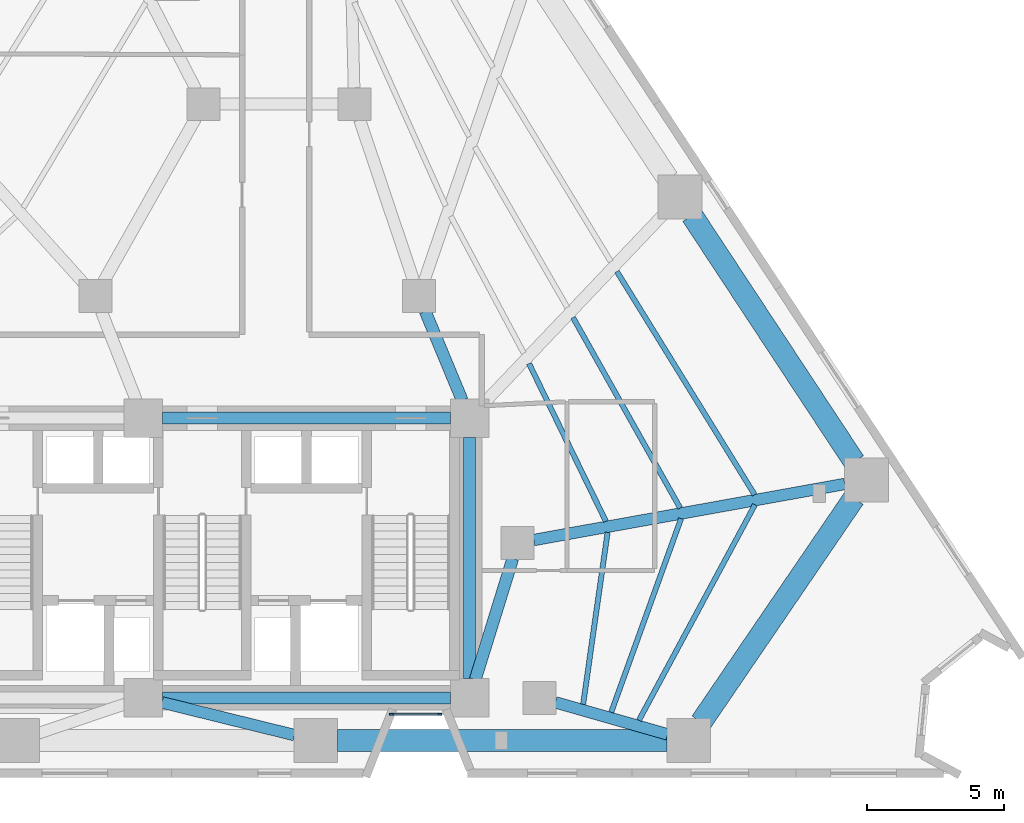
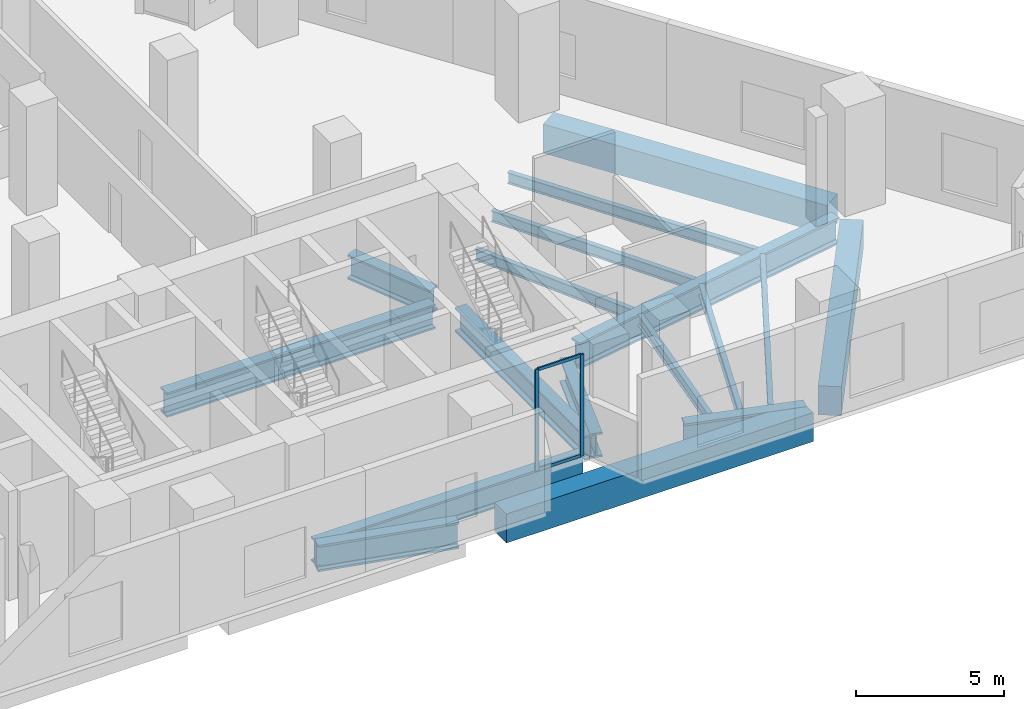
# One storey, part 3 of 11: 17 beams, 4 members, 1 element without a shape of its own.
"""IFC4 building model written with IfcOpenShell, lengths in metres."""

from ifc_helpers import new_model, si_unit, direction, frame, origin, origin_2d, place, context, subcontext, project, spatial, rectangle, i_section, extrude, material, layer, layer_set, material_profile, profile_set, type_object, element, aggregate, save


model = new_model("IFC4")

# Units and contexts
model_context = context("Model", 3, precision=1e-05, world=origin(), true_north=direction((0.0, 1.0)))
body_context = subcontext(model_context, "Body", "Model", "MODEL_VIEW")
ifc_project = project(units=[si_unit("LENGTHUNIT", "METRE"), si_unit("AREAUNIT", "SQUARE_METRE"), si_unit("VOLUMEUNIT", "CUBIC_METRE"), si_unit("PLANEANGLEUNIT", "RADIAN"), si_unit("MASSUNIT", "GRAM", prefix="KILO")], contexts=[model_context])

# Site, building, storey
site_placement = place(None, origin())
site = spatial("IfcSite", under=ifc_project, at=site_placement, CompositionType="ELEMENT")
building_placement = place(site_placement, origin())
building = spatial("IfcBuilding", under=site, at=building_placement, Name="Almagre Mirador Tower", CompositionType="ELEMENT")
storey_placement = place(building_placement, frame((0.0, 0.0, 21.89990234375)))
storey = spatial("IfcBuildingStorey", under=building, at=storey_placement, Name="L04", CompositionType="ELEMENT", Elevation=21.89990234375)

# Beams
ifc_material_1 = material(Name="Steel ASTM A992 Grade 50", Category="steel")
ifc_material_profile_1 = material_profile(ifc_material_1, i_section(OverallWidth=0.19091796875, OverallDepth=0.4599609375, WebThickness=0.010009765625, FlangeThickness=0.01611328125, FilletRadius=0.01611328125, at=origin_2d()), Name="W18X55")
ifc_profile_set_1 = profile_set([ifc_material_profile_1], Name="Steel ASTM A992 Grade 50")
beam_type_1 = type_object("IfcBeamType", Name="BM-JST-W18X55", PredefinedType="JOIST", material=ifc_profile_set_1)
beam_1_placement = place(storey_placement, frame((53.224853515625, 3.732421875, -0.52978515625), z_axis=(0.473970950785, 0.880540480508, 0.0), x_axis=(-0.880540480508, 0.473970950785, 0.0)))
element("IfcBeam", 1, at=beam_1_placement, inside=storey, type_object=beam_type_1, Name="L04 secondary floor joist PC04-PC05.1", PredefinedType="JOIST", context=body_context, shape_type="SweptSolid", body=[
    extrude(i_section(OverallWidth=0.19091796875, OverallDepth=0.4599609375, WebThickness=0.010009765625, FlangeThickness=0.01611328125, FilletRadius=0.01611328125, at=origin_2d()), origin(), (0.0, 0.0, 1.0), 8.925048828125),
])
beam_2_placement = place(storey_placement, frame((52.2138671875, 4.025146484375, -0.52978515625), z_axis=(0.339368785109, 0.940653404658, 0.0), x_axis=(-0.940653404658, 0.339368785109, 0.0)))
element("IfcBeam", 2, at=beam_2_placement, inside=storey, type_object=beam_type_1, Name="L04 secondary floor joist PC04-PC05.2", PredefinedType="JOIST", context=body_context, shape_type="SweptSolid", body=[
    extrude(i_section(OverallWidth=0.19091796875, OverallDepth=0.4599609375, WebThickness=0.010009765625, FlangeThickness=0.01611328125, FilletRadius=0.01611328125, at=origin_2d()), origin(), (0.0, 0.0, 1.0), 7.50830078125),
])
beam_3_placement = place(storey_placement, frame((51.189208984375, 4.3154296875, -0.52978515625), z_axis=(0.140978904218, 0.990012600205, 0.0), x_axis=(-0.990012600205, 0.140978904218, 0.0)))
element("IfcBeam", 3, at=beam_3_placement, inside=storey, type_object=beam_type_1, Name="L04 secondary floor joist PC04-PC05.3", PredefinedType="JOIST", context=body_context, shape_type="SweptSolid", body=[
    extrude(i_section(OverallWidth=0.19091796875, OverallDepth=0.4599609375, WebThickness=0.010009765625, FlangeThickness=0.01611328125, FilletRadius=0.01611328125, at=origin_2d()), origin(), (0.0, 0.0, 1.0), 6.334716796875),
])
beam_4_placement = place(storey_placement, frame((57.444091796875, 11.958251953125, -0.52978515625), z_axis=(-0.525163566065, 0.851001309563, 0.0), x_axis=(-0.851001309563, -0.525163566065, 0.0)))
element("IfcBeam", 4, at=beam_4_placement, inside=storey, type_object=beam_type_1, Name="L04 secondary floor joist PC05-PC06.1", PredefinedType="JOIST", context=body_context, shape_type="SweptSolid", body=[
    extrude(i_section(OverallWidth=0.19091796875, OverallDepth=0.4599609375, WebThickness=0.010009765625, FlangeThickness=0.01611328125, FilletRadius=0.01611328125, at=origin_2d()), origin(), (0.0, 0.0, 1.0), 9.56591796875),
])
beam_5_placement = place(storey_placement, frame((54.729736328125, 11.47216796875, -0.52978515625), z_axis=(-0.490313580475, 0.871546093331, 0.0), x_axis=(-0.871546093331, -0.490313580475, 0.0)))
element("IfcBeam", 5, at=beam_5_placement, inside=storey, type_object=beam_type_1, Name="L04 secondary floor joist PC05-PC06.2", PredefinedType="JOIST", context=body_context, shape_type="SweptSolid", body=[
    extrude(i_section(OverallWidth=0.19091796875, OverallDepth=0.4599609375, WebThickness=0.010009765625, FlangeThickness=0.01611328125, FilletRadius=0.01611328125, at=origin_2d()), origin(), (0.0, 0.0, 1.0), 7.972412109375),
])
beam_6_placement = place(storey_placement, frame((52.019287109375, 10.987548828125, -0.52978515625), z_axis=(-0.437849242012, 0.899048408746, 0.0), x_axis=(-0.899048408746, -0.437849242012, 0.0)))
element("IfcBeam", 6, at=beam_6_placement, inside=storey, type_object=beam_type_1, Name="L04 secondary floor joist PC05-PC06.3", PredefinedType="JOIST", context=body_context, shape_type="SweptSolid", body=[
    extrude(i_section(OverallWidth=0.19091796875, OverallDepth=0.4599609375, WebThickness=0.010009765625, FlangeThickness=0.01611328125, FilletRadius=0.01611328125, at=origin_2d()), origin(), (0.0, 0.0, 1.0), 6.39892578125),
])
ifc_material_2 = material(Name="Precast concrete C50/60", Category="concrete")
ifc_material_profile_2 = material_profile(ifc_material_2, rectangle(XDim=0.800048828125, YDim=1.199951171875, at=origin_2d()), Name="RC800X1200")
ifc_profile_set_2 = profile_set([ifc_material_profile_2], Name="Precast concrete C50/60")
beam_type_2 = type_object("IfcBeamType", Name="BM-SPN-RC800X1200", PredefinedType="SPANDREL", material=ifc_profile_set_2)
beam_7_placement = place(storey_placement, frame((42.239990234375, 3.0, -0.89990234375), z_axis=(1.0, 0.0, 0.0), x_axis=(0.0, 1.0, 0.0)))
element("IfcBeam", 7, at=beam_7_placement, inside=storey, type_object=beam_type_2, Name="L04 perimeter spandrel beam PC03-PC04", PredefinedType="SPANDREL", context=body_context, shape_type="SweptSolid", body=[
    extrude(rectangle(XDim=0.800048828125, YDim=1.199951171875, at=origin_2d()), origin(), (0.0, 0.0, 1.0), 12.0),
])
beam_8_placement = place(storey_placement, frame((55.490966796875, 3.660888671875, -0.89990234375), z_axis=(0.563695189414, 0.825982889309, 0.0), x_axis=(-0.825982889309, 0.563695189414, 0.0)))
element("IfcBeam", 8, at=beam_8_placement, inside=storey, type_object=beam_type_2, Name="L04 perimeter spandrel beam PC04-PC05", PredefinedType="SPANDREL", context=body_context, shape_type="SweptSolid", body=[
    extrude(rectangle(XDim=0.800048828125, YDim=1.199951171875, at=origin_2d()), origin(), (0.0, 0.0, 1.0), 9.891845703125),
])
beam_9_placement = place(storey_placement, frame((61.077880859375, 13.159912109375, -0.89990234375), z_axis=(-0.550204417923, 0.835029998562, 0.0), x_axis=(-0.835029998562, -0.550204417923, 0.0)))
element("IfcBeam", 9, at=beam_9_placement, inside=storey, type_object=beam_type_2, Name="L04 perimeter spandrel beam PC05-PC06", PredefinedType="SPANDREL", context=body_context, shape_type="SweptSolid", body=[
    extrude(rectangle(XDim=0.800048828125, YDim=1.199951171875, at=origin_2d()), origin(), (0.0, 0.0, 1.0), 10.759033203125),
])
ifc_material_3 = material(Name="Steel ASTM A992 Grade 50", Category="steel")
ifc_material_profile_3 = material_profile(ifc_material_3, i_section(OverallWidth=0.43701171875, OverallDepth=1.010986328125, WebThickness=0.041015625, FlangeThickness=0.073974609375, FilletRadius=0.028076171875, at=origin_2d()), Name="W36X529")
ifc_profile_set_3 = profile_set([ifc_material_profile_3], Name="Steel ASTM A992 Grade 50")
beam_type_3 = type_object("IfcBeamType", Name="BM-STL-W36X529", PredefinedType="BEAM", material=ifc_profile_set_3)
for number, where, z_axis, x_axis, name in (
    (10, (35.85009765625, 4.550048828125, -0.805419921875), (1.0, 0.0, 0.0), (0.0, 1.0, 0.0), "L04 core tie girder CC2-CC3"),
    (11, (35.85009765625, 14.75, -0.805419921875), (1.0, 0.0, 0.0), (0.0, 1.0, 0.0), "L04 core tie girder CC5-CC6"),
):
    element("IfcBeam", number, at=place(storey_placement, frame(where, z_axis=z_axis, x_axis=x_axis)), inside=storey, type_object=beam_type_3, Name=name, PredefinedType="BEAM", context=body_context, shape_type="SweptSolid", body=[
        extrude(i_section(OverallWidth=0.43701171875, OverallDepth=1.010986328125, WebThickness=0.041015625, FlangeThickness=0.073974609375, FilletRadius=0.028076171875, at=origin_2d()), origin(), (0.0, 0.0, 1.0), 10.5),
    ])
beam_10_placement = place(storey_placement, frame((47.050048828125, 5.25, -0.805419921875), z_axis=(0.0, 1.0, 0.0), x_axis=(-1.0, 0.0, 0.0)))
element("IfcBeam", 12, at=beam_10_placement, inside=storey, type_object=beam_type_3, Name="L04 core tie girder CC3-CC6", PredefinedType="BEAM", context=body_context, shape_type="SweptSolid", body=[
    extrude(i_section(OverallWidth=0.43701171875, OverallDepth=1.010986328125, WebThickness=0.041015625, FlangeThickness=0.073974609375, FilletRadius=0.028076171875, at=origin_2d()), origin(), (0.0, 0.0, 1.0), 8.800048828125),
])
beam_11_placement = place(storey_placement, frame((48.62255859375, 9.626953125, -0.805419921875), z_axis=(-0.295888328273, -0.955222538046, 0.0), x_axis=(0.955222538046, -0.295888328273, 0.0)))
element("IfcBeam", 13, at=beam_11_placement, inside=storey, type_object=beam_type_3, Name="L04 core tie girder MC3-CC3", PredefinedType="BEAM", context=body_context, shape_type="SweptSolid", body=[
    extrude(i_section(OverallWidth=0.43701171875, OverallDepth=1.010986328125, WebThickness=0.041015625, FlangeThickness=0.073974609375, FilletRadius=0.028076171875, at=origin_2d()), origin(), (0.0, 0.0, 1.0), 4.61474609375),
])
beam_12_placement = place(storey_placement, frame((45.430419921875, 18.64599609375, -0.805419921875), z_axis=(0.383856635851, -0.923392702545, 0.0), x_axis=(0.923392702545, 0.383856635851, 0.0)))
element("IfcBeam", 14, at=beam_12_placement, inside=storey, type_object=beam_type_3, Name="L04 core tie girder MC5-CC6", PredefinedType="BEAM", context=body_context, shape_type="SweptSolid", body=[
    extrude(i_section(OverallWidth=0.43701171875, OverallDepth=1.010986328125, WebThickness=0.041015625, FlangeThickness=0.073974609375, FilletRadius=0.028076171875, at=origin_2d()), origin(), (0.0, 0.0, 1.0), 3.51904296875),
])
ifc_material_4 = material(Name="Steel ASTM A913 Grade 65", Category="steel")
ifc_material_profile_4 = material_profile(ifc_material_4, i_section(OverallWidth=0.424072265625, OverallDepth=1.092041015625, WebThickness=0.04541015625, FlangeThickness=0.08203125, FilletRadius=0.030029296875, at=origin_2d()), Name="W40X593")
ifc_profile_set_4 = profile_set([ifc_material_profile_4], Name="Steel ASTM A913 Grade 65")
beam_type_4 = type_object("IfcBeamType", Name="BM-STL-W40X593", PredefinedType="BEAM", material=ifc_profile_set_4)
beam_13_placement = place(storey_placement, frame((40.6630859375, 3.19140625, -0.845947265625), z_axis=(-0.970950577001, 0.239280122497, 0.0), x_axis=(-0.239280122497, -0.970950577001, 0.0)))
element("IfcBeam", 15, at=beam_13_placement, inside=storey, type_object=beam_type_4, Name="L04 radial floor girder PC03-CC2", PredefinedType="BEAM", context=body_context, shape_type="SweptSolid", body=[
    extrude(i_section(OverallWidth=0.424072265625, OverallDepth=1.092041015625, WebThickness=0.04541015625, FlangeThickness=0.08203125, FilletRadius=0.030029296875, at=origin_2d()), origin(), (0.0, 0.0, 1.0), 4.97802734375),
])
beam_14_placement = place(storey_placement, frame((54.2705078125, 3.21923828125, -0.845947265625), z_axis=(-0.961729302972, 0.274001364603, 0.0), x_axis=(-0.274001364603, -0.961729302972, 0.0)))
element("IfcBeam", 16, at=beam_14_placement, inside=storey, type_object=beam_type_4, Name="L04 radial floor girder PC04-MC2", PredefinedType="BEAM", context=body_context, shape_type="SweptSolid", body=[
    extrude(i_section(OverallWidth=0.424072265625, OverallDepth=1.092041015625, WebThickness=0.04541015625, FlangeThickness=0.08203125, FilletRadius=0.030029296875, at=origin_2d()), origin(), (0.0, 0.0, 1.0), 4.25634765625),
])
beam_15_placement = place(storey_placement, frame((60.730712890625, 12.35009765625, -0.845947265625), z_axis=(-0.984146362442, -0.177358217438, 0.0), x_axis=(0.177358217438, -0.984146362442, 0.0)))
element("IfcBeam", 17, at=beam_15_placement, inside=storey, type_object=beam_type_4, Name="L04 radial floor girder PC05-MC3", PredefinedType="BEAM", context=body_context, shape_type="SweptSolid", body=[
    extrude(i_section(OverallWidth=0.424072265625, OverallDepth=1.092041015625, WebThickness=0.04541015625, FlangeThickness=0.08203125, FilletRadius=0.030029296875, at=origin_2d()), origin(), (0.0, 0.0, 1.0), 11.52294921875),
])

# Curtain wall, members
ifc_material_5 = material(Name="Black anodized aluminium", Category="aluminium")
ifc_layer = layer(ifc_material_5, 0.169921875)
ifc_layer_set = layer_set([ifc_layer], Name="Black anodized aluminium")
curtain_wall_type = type_object("IfcCurtainWallType", Name="CW-CRS-SYS", PredefinedType="NOTDEFINED", material=ifc_layer_set)
curtain_wall_placement = place(storey_placement, origin())
curtain_wall = element("IfcCurtainWall", 18, at=curtain_wall_placement, inside=storey, type_object=curtain_wall_type, Name="L04 vertical crease curtain wall 06", PredefinedType="NOTDEFINED")
ifc_material_6 = material(Name="Black anodized aluminium", Category="aluminium")
ifc_material_profile_5 = material_profile(ifc_material_6, rectangle(XDim=0.06005859375, YDim=0.14990234375, at=origin_2d()), Name="CWM60X150")
ifc_profile_set_5 = profile_set([ifc_material_profile_5], Name="Black anodized aluminium")
member_type_1 = type_object("IfcMemberType", Name="MBR-CWM60X150", PredefinedType="MULLION", material=ifc_profile_set_5)
member_1_placement = place(storey_placement, frame((45.9599609375, 3.949951171875, 0.0), z_axis=(0.0, 0.0, 1.0), x_axis=(0.0, -1.0, 0.0)))
member_1 = element("IfcMember", 19, at=member_1_placement, type_object=member_type_1, Name="CW-4 mullion 1", PredefinedType="MULLION", context=body_context, shape_type="SweptSolid", body=[
    extrude(rectangle(XDim=0.06005859375, YDim=0.14990234375, at=origin_2d()), origin(), (0.0, 0.0, 1.0), 4.2001953125),
])
member_2_placement = place(storey_placement, frame((44.200927734375, 3.949951171875, 0.0), z_axis=(0.0, 0.0, 1.0), x_axis=(0.0, -1.0, 0.0)))
member_2 = element("IfcMember", 20, at=member_2_placement, type_object=member_type_1, Name="CW-4 mullion 2", PredefinedType="MULLION", context=body_context, shape_type="SweptSolid", body=[
    extrude(rectangle(XDim=0.06005859375, YDim=0.14990234375, at=origin_2d()), origin(), (0.0, 0.0, 1.0), 4.2001953125),
])
ifc_material_7 = material(Name="Black anodized aluminium", Category="aluminium")
ifc_material_profile_6 = material_profile(ifc_material_7, rectangle(XDim=0.06005859375, YDim=0.1298828125, at=origin_2d()), Name="CWT60X130")
ifc_profile_set_6 = profile_set([ifc_material_profile_6], Name="Black anodized aluminium")
member_type_2 = type_object("IfcMemberType", Name="MBR-CWT60X130", PredefinedType="USERDEFINED", material=ifc_profile_set_6)
member_3_placement = place(storey_placement, frame((45.929931640625, 3.949951171875, 0.030029296875), z_axis=(-1.0, 0.0, 0.0), x_axis=(0.0, -1.0, 0.0)))
member_3 = element("IfcMember", 21, at=member_3_placement, type_object=member_type_2, Name="CW-4 transom 1.1", ObjectType="TRANSOM", PredefinedType="USERDEFINED", context=body_context, shape_type="SweptSolid", body=[
    extrude(rectangle(XDim=0.06005859375, YDim=0.1298828125, at=origin_2d()), origin(), (0.0, 0.0, 1.0), 1.698974609375),
])
member_4_placement = place(storey_placement, frame((45.929931640625, 3.949951171875, 4.170166015625), z_axis=(-1.0, 0.0, 0.0), x_axis=(0.0, -1.0, 0.0)))
member_4 = element("IfcMember", 22, at=member_4_placement, type_object=member_type_2, Name="CW-4 transom 1.2", ObjectType="TRANSOM", PredefinedType="USERDEFINED", context=body_context, shape_type="SweptSolid", body=[
    extrude(rectangle(XDim=0.06005859375, YDim=0.1298828125, at=origin_2d()), origin(), (0.0, 0.0, 1.0), 1.698974609375),
])
aggregate(curtain_wall, [member_1, member_2, member_3, member_4])

save(model, "model.ifc")
